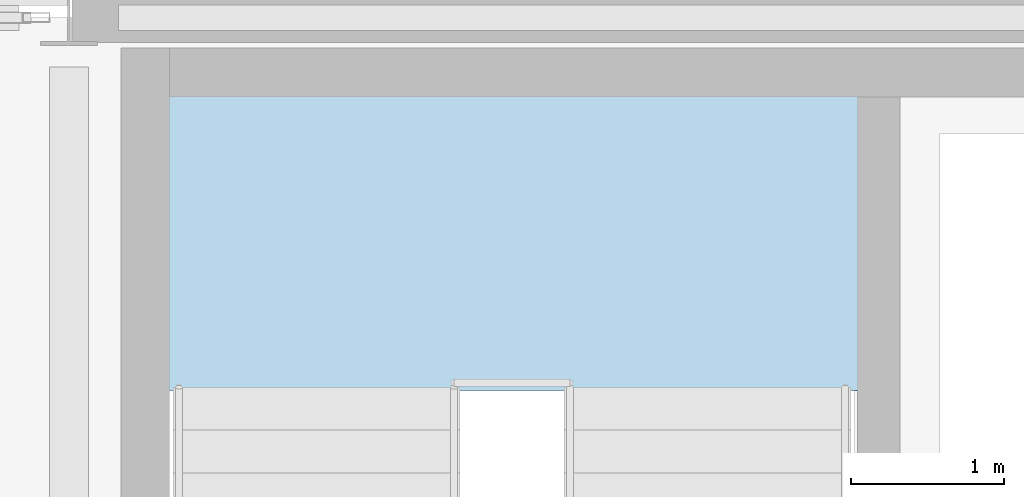
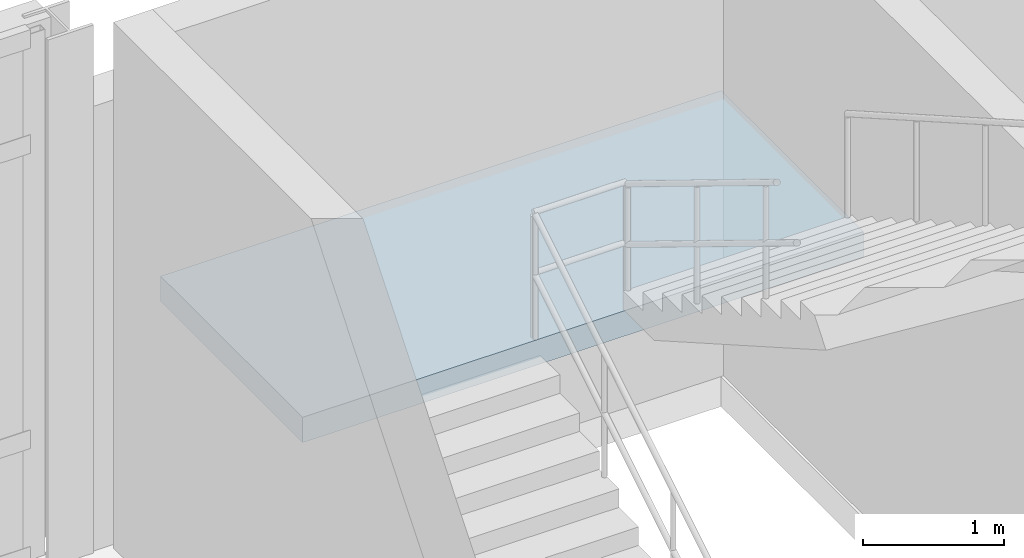
# One storey, part 34 of 52: 1 slab, 1 element without a shape of its own.
"""IFC4 building model written with IfcOpenShell, lengths in metres."""

from ifc_helpers import new_model, si_unit, direction, frame, origin, place, context, subcontext, project, spatial, polyline, outline, extrude, material, layer, layer_set, type_object, element, aggregate, save


model = new_model("IFC4")

# Units and contexts
model_context = context("Model", 3, precision=1e-05, world=origin(), true_north=direction((0.0, 1.0)))
body_context = subcontext(model_context, "Body", "Model", "MODEL_VIEW")
ifc_project = project(units=[si_unit("LENGTHUNIT", "METRE"), si_unit("AREAUNIT", "SQUARE_METRE"), si_unit("VOLUMEUNIT", "CUBIC_METRE"), si_unit("PLANEANGLEUNIT", "RADIAN"), si_unit("MASSUNIT", "GRAM", prefix="KILO")], contexts=[model_context])

# Site, building, storey
site_placement = place(None, origin())
site = spatial("IfcSite", under=ifc_project, at=site_placement, CompositionType="ELEMENT")
building_placement = place(site_placement, origin())
building = spatial("IfcBuilding", under=site, at=building_placement, Name="Lornevale Opera House", CompositionType="ELEMENT")
storey_placement = place(building_placement, frame((0.0, 0.0, 15.0)))
storey = spatial("IfcBuildingStorey", under=building, at=storey_placement, Name="L04", CompositionType="ELEMENT", Elevation=15.0)

# Stair, slab
ifc_material = material(Name="Concrete 35 MPa (CSA A23.1 N)", Category="concrete")
ifc_layer_1 = layer(ifc_material, 4.800048828125)
ifc_layer_set_1 = layer_set([ifc_layer_1], Name="Concrete 35 MPa (CSA A23.1 N)")
stair_type = type_object("IfcStairType", Name="Firefighter Core Stair 4800-W1880", PredefinedType="TWO_STRAIGHT_RUN_STAIR", material=ifc_layer_set_1)
stair_placement = place(storey_placement, origin())
stair = element("IfcStair", 1, at=stair_placement, inside=storey, type_object=stair_type, Name="Backstage Firefighter Core East Stair ST-33 (L04-L05)", PredefinedType="TWO_STRAIGHT_RUN_STAIR")
ifc_layer_2 = layer(ifc_material, 0.219970703125)
ifc_layer_set_2 = layer_set([ifc_layer_2], Name="Concrete 35 MPa (CSA A23.1 N)")
slab_type = type_object("IfcSlabType", Name="Stair Half-Landing Slab 220", PredefinedType="LANDING", material=ifc_layer_set_2)
slab_placement = place(storey_placement, frame((0.0, 0.0, 2.179931640625)))
slab = element("IfcSlab", 2, at=slab_placement, type_object=slab_type, Name="ST-33 Half-Landing SL-LND-033", PredefinedType="LANDING", context=body_context, shape_type="SweptSolid", body=[
    extrude(outline(polyline([(135.0, 73.159912109375), (139.60009765625, 73.159912109375), (139.60009765625, 75.179931640625), (135.0, 75.179931640625), (135.0, 73.159912109375)])), origin(), (0.0, 0.0, 1.0), 0.219970703125),
])
aggregate(stair, [slab])

save(model, "model.ifc")
